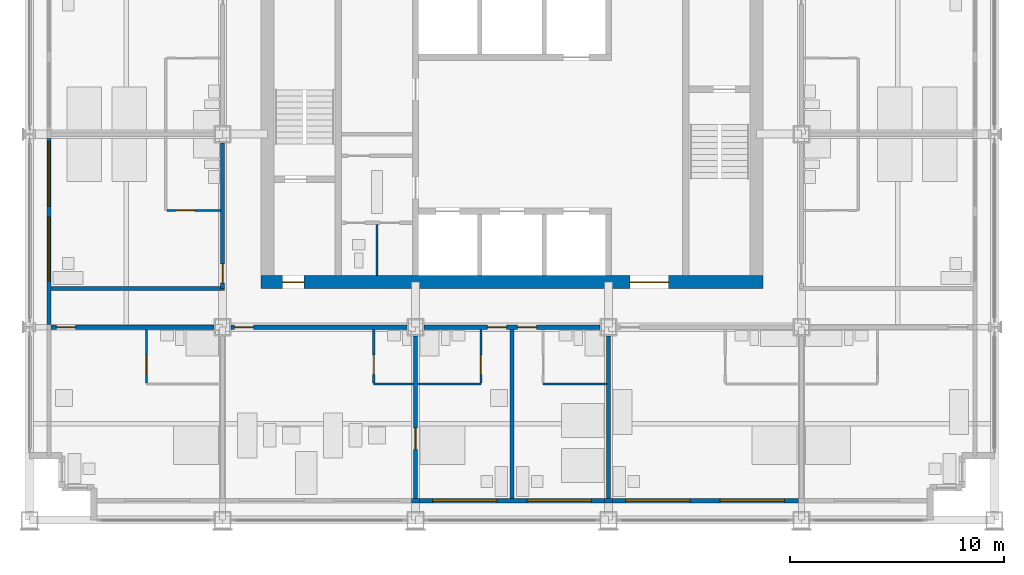
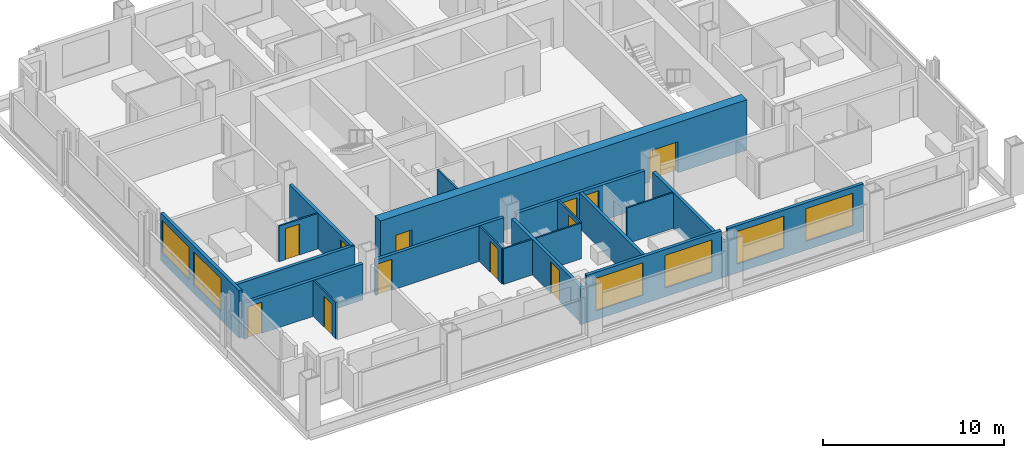
# One storey, part 9 of 16: 22 walls, 12 doors, 6 windows, 18 openings.
"""IFC4 building model written with IfcOpenShell, lengths in metres."""

from ifc_helpers import new_model, si_unit, direction, frame, frame_2d, origin, place, context, subcontext, project, spatial, rectangle, extrude, material, layer, layer_set, type_object, element, fill, save


model = new_model("IFC4")

# Units and contexts
model_context = context("Model", 3, precision=1e-05, world=origin(), true_north=direction((0.0, 1.0)))
body_context = subcontext(model_context, "Body", "Model", "MODEL_VIEW")
ifc_project = project(units=[si_unit("LENGTHUNIT", "METRE"), si_unit("AREAUNIT", "SQUARE_METRE"), si_unit("VOLUMEUNIT", "CUBIC_METRE"), si_unit("PLANEANGLEUNIT", "RADIAN"), si_unit("MASSUNIT", "GRAM", prefix="KILO")], contexts=[model_context])

# Site, building, storey
site_placement = place(None, origin())
site = spatial("IfcSite", under=ifc_project, at=site_placement, CompositionType="ELEMENT")
building_placement = place(site_placement, origin())
building = spatial("IfcBuilding", under=site, at=building_placement, Name="Loomwork Tower", CompositionType="ELEMENT")
storey_placement = place(building_placement, frame((0.0, 0.0, 128.199951171875)))
storey = spatial("IfcBuildingStorey", under=building, at=storey_placement, Name="L34", CompositionType="ELEMENT", Elevation=128.199951171875)

# Wall, openings, doors
ifc_material_1 = material(Name="Concrete 14000 psi (97 MPa)", Category="concrete")
ifc_layer_1 = layer(ifc_material_1, 0.60009765625)
ifc_layer_set_1 = layer_set([ifc_layer_1], Name="Core shear wall 600")
wall_type_1 = type_object("IfcWallType", Name="Core shear wall 600", PredefinedType="SHEAR", material=ifc_layer_set_1)
wall_1_placement = place(storey_placement, frame((10.800048828125, 11.10009765625, 0.0), z_axis=(0.0, 0.0, 1.0), x_axis=(1.0, 0.0, 0.0)))
wall_1 = element("IfcWall", 1, at=wall_1_placement, inside=storey, type_object=wall_type_1, Name="Core wall south L34", PredefinedType="SHEAR", context=body_context, shape_type="SweptSolid", body=[
    extrude(rectangle(XDim=23.39990234375, YDim=0.60009765625, at=frame_2d((11.699951171875, 0.0))), origin(), (0.0, 0.0, 1.0), 3.400146484375),
])
opening_1_placement = place(wall_1_placement, frame((1.0, 0.0, 0.0)))
opening_1 = element("IfcOpeningElement", 2, at=opening_1_placement, cuts=wall_1, Name="Opening D4", PredefinedType="OPENING", context=body_context, shape_type="SweptSolid", body=[
    extrude(rectangle(XDim=1.0, YDim=2.10009765625, at=frame_2d((0.5, 1.050048828125))), frame((0.0, 0.31005859375, 0.0), z_axis=(0.0, -1.0, 0.0), x_axis=(1.0, 0.0, 0.0)), (0.0, 0.0, 1.0), 0.6201171875),
])
opening_2_placement = place(wall_1_placement, frame((17.199951171875, 0.0, 0.0)))
opening_2 = element("IfcOpeningElement", 3, at=opening_2_placement, cuts=wall_1, Name="Opening D6", PredefinedType="OPENING", context=body_context, shape_type="SweptSolid", body=[
    extrude(rectangle(XDim=1.800048828125, YDim=2.10009765625, at=frame_2d((0.89990234375, 1.050048828125))), frame((0.0, 0.31005859375, 0.0), z_axis=(0.0, -1.0, 0.0), x_axis=(1.0, 0.0, 0.0)), (0.0, 0.0, 1.0), 0.6201171875),
])
ifc_material_2 = material(Name="Hollow metal door and frame")
door_type_1 = type_object("IfcDoorType", Name="Lobby passage double door 1800", OperationType="DOUBLE_DOOR_SINGLE_SWING", PredefinedType="DOOR", material=ifc_material_2)
door_1_placement = place(opening_2_placement, origin())
door_1 = element("IfcDoor", 4, at=door_1_placement, inside=storey, type_object=door_type_1, Name="Lobby passage door south", OperationType="DOUBLE_DOOR_SINGLE_SWING", OverallHeight=2.10009765625, OverallWidth=1.800048828125, PredefinedType="DOOR", context=body_context, shape_type="SweptSolid", body=[
    extrude(rectangle(XDim=1.800048828125, YDim=2.10009765625, at=frame_2d((0.89990234375, 1.050048828125))), frame((0.0, 0.02490234375, 0.0), z_axis=(0.0, -1.0, 0.0), x_axis=(1.0, 0.0, 0.0)), (0.0, 0.0, 1.0), 0.050048828125),
])
fill(opening_2, door_1)
ifc_material_3 = material(Name="Hollow metal door and frame")
door_type_2 = type_object("IfcDoorType", Name="Stair door 1000", OperationType="SINGLE_SWING_RIGHT", PredefinedType="DOOR", material=ifc_material_3)
door_2_placement = place(opening_1_placement, origin())
door_2 = element("IfcDoor", 5, at=door_2_placement, inside=storey, type_object=door_type_2, Name="Stair A vestibule door", OperationType="SINGLE_SWING_LEFT", OverallHeight=2.10009765625, OverallWidth=1.0, PredefinedType="DOOR", context=body_context, shape_type="SweptSolid", body=[
    extrude(rectangle(XDim=1.0, YDim=2.10009765625, at=frame_2d((0.5, 1.050048828125))), frame((0.0, 0.02490234375, 0.0), z_axis=(0.0, -1.0, 0.0), x_axis=(1.0, 0.0, 0.0)), (0.0, 0.0, 1.0), 0.050048828125),
])
fill(opening_1, door_2)

# Wall, opening, door
ifc_material_4 = material(Name="Gypsum board on steel studs, one-hour", Category="steel")
ifc_layer_2 = layer(ifc_material_4, 0.199951171875)
ifc_layer_set_2 = layer_set([ifc_layer_2], Name="Corridor wall 200")
wall_type_2 = type_object("IfcWallType", Name="Corridor wall 200", PredefinedType="PARTITIONING", material=ifc_layer_set_2)
wall_2_placement = place(storey_placement, frame((1.0, 9.0, 0.0), z_axis=(0.0, 0.0, 1.0), x_axis=(1.0, 0.0, 0.0)))
wall_2 = element("IfcWall", 6, at=wall_2_placement, inside=storey, type_object=wall_type_2, Name="South corridor wall 1", PredefinedType="PARTITIONING", context=body_context, shape_type="SweptSolid", body=[
    extrude(rectangle(XDim=7.60009765625, YDim=0.199951171875, at=frame_2d((3.800048828125, 0.0))), origin(), (0.0, 0.0, 1.0), 2.43798828125),
])
opening_3_placement = place(wall_2_placement, frame((0.25, 0.0, 0.0)))
opening_3 = element("IfcOpeningElement", 7, at=opening_3_placement, cuts=wall_2, Name="Opening D1", PredefinedType="OPENING", context=body_context, shape_type="SweptSolid", body=[
    extrude(rectangle(XDim=0.89990234375, YDim=2.10009765625, at=frame_2d((0.449951171875, 1.050048828125))), frame((0.0, 0.10986328125, 0.0), z_axis=(0.0, -1.0, 0.0), x_axis=(1.0, 0.0, 0.0)), (0.0, 0.0, 1.0), 0.219970703125),
])
ifc_material_5 = material(Name="Hollow metal door and frame")
door_type_3 = type_object("IfcDoorType", Name="Guest room entry door 900", OperationType="SINGLE_SWING_LEFT", PredefinedType="DOOR", material=ifc_material_5)
door_3_placement = place(opening_3_placement, frame((0.89990234375, 0.0, 0.0), z_axis=(0.0, 0.0, 1.0), x_axis=(-1.0, 0.0, 0.0)))
door_3 = element("IfcDoor", 8, at=door_3_placement, inside=storey, type_object=door_type_3, Name="Guest room entry door L34 1", OperationType="SINGLE_SWING_RIGHT", OverallHeight=2.10009765625, OverallWidth=0.89990234375, PredefinedType="DOOR", context=body_context, shape_type="SweptSolid", body=[
    extrude(rectangle(XDim=0.89990234375, YDim=2.10009765625, at=frame_2d((0.449951171875, 1.050048828125))), frame((0.0, 0.02490234375, 0.0), z_axis=(0.0, -1.0, 0.0), x_axis=(1.0, 0.0, 0.0)), (0.0, 0.0, 1.0), 0.050048828125),
])
fill(opening_3, door_3)

wall_3_placement = place(storey_placement, frame((9.39990234375, 9.0, 0.0), z_axis=(0.0, 0.0, 1.0), x_axis=(1.0, 0.0, 0.0)))
wall_3 = element("IfcWall", 9, at=wall_3_placement, inside=storey, type_object=wall_type_2, Name="South corridor wall 2", PredefinedType="PARTITIONING", context=body_context, shape_type="SweptSolid", body=[
    extrude(rectangle(XDim=8.2001953125, YDim=0.199951171875, at=frame_2d((4.10009765625, 0.0))), origin(), (0.0, 0.0, 1.0), 2.405029296875),
])
opening_4_placement = place(wall_3_placement, frame((0.14990234375, 0.0, 0.0)))
opening_4 = element("IfcOpeningElement", 10, at=opening_4_placement, cuts=wall_3, Name="Opening D1", PredefinedType="OPENING", context=body_context, shape_type="SweptSolid", body=[
    extrude(rectangle(XDim=0.89990234375, YDim=2.10009765625, at=frame_2d((0.449951171875, 1.050048828125))), frame((0.0, 0.10986328125, 0.0), z_axis=(0.0, -1.0, 0.0), x_axis=(1.0, 0.0, 0.0)), (0.0, 0.0, 1.0), 0.219970703125),
])
door_4_placement = place(opening_4_placement, frame((0.89990234375, 0.0, 0.0), z_axis=(0.0, 0.0, 1.0), x_axis=(-1.0, 0.0, 0.0)))
door_4 = element("IfcDoor", 11, at=door_4_placement, inside=storey, type_object=door_type_3, Name="Guest room entry door L34 2", OperationType="SINGLE_SWING_RIGHT", OverallHeight=2.10009765625, OverallWidth=0.89990234375, PredefinedType="DOOR", context=body_context, shape_type="SweptSolid", body=[
    extrude(rectangle(XDim=0.89990234375, YDim=2.10009765625, at=frame_2d((0.449951171875, 1.050048828125))), frame((0.0, 0.02490234375, 0.0), z_axis=(0.0, -1.0, 0.0), x_axis=(1.0, 0.0, 0.0)), (0.0, 0.0, 1.0), 0.050048828125),
])
fill(opening_4, door_4)

# Wall, openings, doors
wall_4_placement = place(storey_placement, frame((18.39990234375, 9.0, 0.0), z_axis=(0.0, 0.0, 1.0), x_axis=(1.0, 0.0, 0.0)))
wall_4 = element("IfcWall", 12, at=wall_4_placement, inside=storey, type_object=wall_type_2, Name="South corridor wall 3", PredefinedType="PARTITIONING", context=body_context, shape_type="SweptSolid", body=[
    extrude(rectangle(XDim=8.2001953125, YDim=0.199951171875, at=frame_2d((4.10009765625, 0.0))), origin(), (0.0, 0.0, 1.0), 2.405029296875),
])
opening_5_placement = place(wall_4_placement, frame((2.949951171875, 0.0, 0.0)))
opening_5 = element("IfcOpeningElement", 13, at=opening_5_placement, cuts=wall_4, Name="Opening D1", PredefinedType="OPENING", context=body_context, shape_type="SweptSolid", body=[
    extrude(rectangle(XDim=0.89990234375, YDim=2.10009765625, at=frame_2d((0.449951171875, 1.050048828125))), frame((0.0, 0.10986328125, 0.0), z_axis=(0.0, -1.0, 0.0), x_axis=(1.0, 0.0, 0.0)), (0.0, 0.0, 1.0), 0.219970703125),
])
opening_6_placement = place(wall_4_placement, frame((4.35009765625, 0.0, 0.0)))
opening_6 = element("IfcOpeningElement", 14, at=opening_6_placement, cuts=wall_4, Name="Opening D1", PredefinedType="OPENING", context=body_context, shape_type="SweptSolid", body=[
    extrude(rectangle(XDim=0.89990234375, YDim=2.10009765625, at=frame_2d((0.449951171875, 1.050048828125))), frame((0.0, 0.10986328125, 0.0), z_axis=(0.0, -1.0, 0.0), x_axis=(1.0, 0.0, 0.0)), (0.0, 0.0, 1.0), 0.219970703125),
])
door_5_placement = place(opening_5_placement, frame((0.89990234375, 0.0, 0.0), z_axis=(0.0, 0.0, 1.0), x_axis=(-1.0, 0.0, 0.0)))
door_5 = element("IfcDoor", 15, at=door_5_placement, inside=storey, type_object=door_type_3, Name="Guest room entry door L34 3", OperationType="SINGLE_SWING_LEFT", OverallHeight=2.10009765625, OverallWidth=0.89990234375, PredefinedType="DOOR", context=body_context, shape_type="SweptSolid", body=[
    extrude(rectangle(XDim=0.89990234375, YDim=2.10009765625, at=frame_2d((0.449951171875, 1.050048828125))), frame((0.0, 0.02490234375, 0.0), z_axis=(0.0, -1.0, 0.0), x_axis=(1.0, 0.0, 0.0)), (0.0, 0.0, 1.0), 0.050048828125),
])
fill(opening_5, door_5)
door_6_placement = place(opening_6_placement, frame((0.89990234375, 0.0, 0.0), z_axis=(0.0, 0.0, 1.0), x_axis=(-1.0, 0.0, 0.0)))
door_6 = element("IfcDoor", 16, at=door_6_placement, inside=storey, type_object=door_type_3, Name="Guest room entry door L34 4", OperationType="SINGLE_SWING_RIGHT", OverallHeight=2.10009765625, OverallWidth=0.89990234375, PredefinedType="DOOR", context=body_context, shape_type="SweptSolid", body=[
    extrude(rectangle(XDim=0.89990234375, YDim=2.10009765625, at=frame_2d((0.449951171875, 1.050048828125))), frame((0.0, 0.02490234375, 0.0), z_axis=(0.0, -1.0, 0.0), x_axis=(1.0, 0.0, 0.0)), (0.0, 0.0, 1.0), 0.050048828125),
])
fill(opening_6, door_6)

# Wall, opening, door
wall_5_placement = place(storey_placement, frame((9.0, 10.800048828125, 0.0), z_axis=(0.0, 0.0, 1.0), x_axis=(0.0, 1.0, 0.0)))
wall_5 = element("IfcWall", 17, at=wall_5_placement, inside=storey, type_object=wall_type_2, Name="West corridor wall 1", PredefinedType="PARTITIONING", context=body_context, shape_type="SweptSolid", body=[
    extrude(rectangle(XDim=6.800048828125, YDim=0.199951171875, at=frame_2d((3.39990234375, 0.0))), origin(), (0.0, 0.0, 1.0), 2.405029296875),
])
opening_7_placement = place(wall_5_placement, frame((0.25, 0.0, 0.0)))
opening_7 = element("IfcOpeningElement", 18, at=opening_7_placement, cuts=wall_5, Name="Opening D1", PredefinedType="OPENING", context=body_context, shape_type="SweptSolid", body=[
    extrude(rectangle(XDim=0.89990234375, YDim=2.10009765625, at=frame_2d((0.449951171875, 1.050048828125))), frame((0.0, 0.10986328125, 0.0), z_axis=(0.0, -1.0, 0.0), x_axis=(1.0, 0.0, 0.0)), (0.0, 0.0, 1.0), 0.219970703125),
])
door_7_placement = place(opening_7_placement, origin())
door_7 = element("IfcDoor", 19, at=door_7_placement, inside=storey, type_object=door_type_3, Name="Guest room entry door L34 14", OperationType="SINGLE_SWING_LEFT", OverallHeight=2.10009765625, OverallWidth=0.89990234375, PredefinedType="DOOR", context=body_context, shape_type="SweptSolid", body=[
    extrude(rectangle(XDim=0.89990234375, YDim=2.10009765625, at=frame_2d((0.449951171875, 1.050048828125))), frame((0.0, 0.02490234375, 0.0), z_axis=(0.0, -1.0, 0.0), x_axis=(1.0, 0.0, 0.0)), (0.0, 0.0, 1.0), 0.050048828125),
])
fill(opening_7, door_7)

# Wall
wall_6_placement = place(storey_placement, frame((1.0, 10.800048828125, 0.0), z_axis=(0.0, 0.0, 1.0), x_axis=(1.0, 0.0, 0.0)))
element("IfcWall", 20, at=wall_6_placement, inside=storey, type_object=wall_type_2, Name="West band end wall S", PredefinedType="PARTITIONING", context=body_context, shape_type="SweptSolid", body=[
    extrude(rectangle(XDim=8.10009765625, YDim=0.199951171875, at=frame_2d((4.050048828125, 0.0))), origin(), (0.0, 0.0, 1.0), 2.404052734375),
])

# Wall, opening, door
ifc_material_6 = material(Name="Cement board on steel studs", Category="steel")
ifc_layer_3 = layer(ifc_material_6, 0.10009765625)
ifc_layer_set_3 = layer_set([ifc_layer_3], Name="En-suite partition 100")
wall_type_3 = type_object("IfcWallType", Name="En-suite partition 100", PredefinedType="PARTITIONING", material=ifc_layer_set_3)
wall_7_placement = place(storey_placement, frame((5.449951171875, 8.89990234375, 0.0), z_axis=(0.0, 0.0, 1.0), x_axis=(0.0, -1.0, 0.0)))
wall_7 = element("IfcWall", 21, at=wall_7_placement, inside=storey, type_object=wall_type_3, Name="En-suite side wall L34 room 1", PredefinedType="PARTITIONING", context=body_context, shape_type="SweptSolid", body=[
    extrude(rectangle(XDim=2.5, YDim=0.10009765625, at=frame_2d((1.25, 0.0))), origin(), (0.0, 0.0, 1.0), 2.43798828125),
])
opening_8_placement = place(wall_7_placement, frame((1.199951171875, 0.0, 0.0)))
opening_8 = element("IfcOpeningElement", 22, at=opening_8_placement, cuts=wall_7, Name="Opening D3", PredefinedType="OPENING", context=body_context, shape_type="SweptSolid", body=[
    extrude(rectangle(XDim=0.89990234375, YDim=2.10009765625, at=frame_2d((0.449951171875, 1.050048828125))), frame((0.0, 0.06005859375, 0.0), z_axis=(0.0, -1.0, 0.0), x_axis=(1.0, 0.0, 0.0)), (0.0, 0.0, 1.0), 0.1201171875),
])
ifc_material_7 = material(Name="Hollow metal door and frame")
door_type_4 = type_object("IfcDoorType", Name="Accessible en-suite door 900", OperationType="SLIDING_TO_LEFT", PredefinedType="DOOR", material=ifc_material_7)
door_8_placement = place(opening_8_placement, origin())
door_8 = element("IfcDoor", 23, at=door_8_placement, inside=storey, type_object=door_type_4, Name="Accessible en-suite door room 1", OperationType="SLIDING_TO_LEFT", OverallHeight=2.10009765625, OverallWidth=0.89990234375, PredefinedType="DOOR", context=body_context, shape_type="SweptSolid", body=[
    extrude(rectangle(XDim=0.89990234375, YDim=2.10009765625, at=frame_2d((0.449951171875, 1.050048828125))), frame((0.0, 0.02490234375, 0.0), z_axis=(0.0, -1.0, 0.0), x_axis=(1.0, 0.0, 0.0)), (0.0, 0.0, 1.0), 0.050048828125),
])
fill(opening_8, door_8)

# Wall
wall_8_placement = place(storey_placement, frame((16.050048828125, 6.35009765625, 0.0), z_axis=(0.0, 0.0, 1.0), x_axis=(1.0, 0.0, 0.0)))
element("IfcWall", 24, at=wall_8_placement, inside=storey, type_object=wall_type_3, Name="En-suite wall L34 room 2", PredefinedType="PARTITIONING", context=body_context, shape_type="SweptSolid", body=[
    extrude(rectangle(XDim=1.849853515625, YDim=0.10009765625, at=frame_2d((0.9248046875, 0.0))), origin(), (0.0, 0.0, 1.0), 2.404052734375),
])

# Wall, opening, door
wall_9_placement = place(storey_placement, frame((16.050048828125, 8.89990234375, 0.0), z_axis=(0.0, 0.0, 1.0), x_axis=(0.0, -1.0, 0.0)))
wall_9 = element("IfcWall", 25, at=wall_9_placement, inside=storey, type_object=wall_type_3, Name="En-suite side wall L34 room 2", PredefinedType="PARTITIONING", context=body_context, shape_type="SweptSolid", body=[
    extrude(rectangle(XDim=2.5, YDim=0.10009765625, at=frame_2d((1.25, 0.0))), origin(), (0.0, 0.0, 1.0), 2.404052734375),
])
opening_9_placement = place(wall_9_placement, frame((1.199951171875, 0.0, 0.0)))
opening_9 = element("IfcOpeningElement", 26, at=opening_9_placement, cuts=wall_9, Name="Opening D2", PredefinedType="OPENING", context=body_context, shape_type="SweptSolid", body=[
    extrude(rectangle(XDim=0.89990234375, YDim=2.10009765625, at=frame_2d((0.449951171875, 1.050048828125))), frame((0.0, 0.06005859375, 0.0), z_axis=(0.0, -1.0, 0.0), x_axis=(1.0, 0.0, 0.0)), (0.0, 0.0, 1.0), 0.1201171875),
])
ifc_material_8 = material(Name="Hollow metal door and frame")
door_type_5 = type_object("IfcDoorType", Name="En-suite door 900", OperationType="SINGLE_SWING_LEFT", PredefinedType="DOOR", material=ifc_material_8)
door_9_placement = place(opening_9_placement, origin())
door_9 = element("IfcDoor", 27, at=door_9_placement, inside=storey, type_object=door_type_5, Name="Suite powder room door room 2", OperationType="SINGLE_SWING_RIGHT", OverallHeight=2.10009765625, OverallWidth=0.89990234375, PredefinedType="DOOR", context=body_context, shape_type="SweptSolid", body=[
    extrude(rectangle(XDim=0.89990234375, YDim=2.10009765625, at=frame_2d((0.449951171875, 1.050048828125))), frame((0.0, 0.02490234375, 0.0), z_axis=(0.0, -1.0, 0.0), x_axis=(1.0, 0.0, 0.0)), (0.0, 0.0, 1.0), 0.050048828125),
])
fill(opening_9, door_9)

# Wall
wall_10_placement = place(storey_placement, frame((18.10009765625, 6.35009765625, 0.0), z_axis=(0.0, 0.0, 1.0), x_axis=(1.0, 0.0, 0.0)))
element("IfcWall", 28, at=wall_10_placement, inside=storey, type_object=wall_type_3, Name="En-suite wall L34 room 3", PredefinedType="PARTITIONING", context=body_context, shape_type="SweptSolid", body=[
    extrude(rectangle(XDim=2.949951171875, YDim=0.10009765625, at=frame_2d((1.47509765625, 0.0))), origin(), (0.0, 0.0, 1.0), 2.404052734375),
])

# Wall, opening, door
wall_11_placement = place(storey_placement, frame((21.050048828125, 8.89990234375, 0.0), z_axis=(0.0, 0.0, 1.0), x_axis=(0.0, -1.0, 0.0)))
wall_11 = element("IfcWall", 29, at=wall_11_placement, inside=storey, type_object=wall_type_3, Name="En-suite side wall L34 room 3", PredefinedType="PARTITIONING", context=body_context, shape_type="SweptSolid", body=[
    extrude(rectangle(XDim=2.5, YDim=0.10009765625, at=frame_2d((1.25, 0.0))), origin(), (0.0, 0.0, 1.0), 2.404052734375),
])
opening_10_placement = place(wall_11_placement, frame((1.199951171875, 0.0, 0.0)))
opening_10 = element("IfcOpeningElement", 30, at=opening_10_placement, cuts=wall_11, Name="Opening D2", PredefinedType="OPENING", context=body_context, shape_type="SweptSolid", body=[
    extrude(rectangle(XDim=0.89990234375, YDim=2.10009765625, at=frame_2d((0.449951171875, 1.050048828125))), frame((0.0, 0.06005859375, 0.0), z_axis=(0.0, -1.0, 0.0), x_axis=(1.0, 0.0, 0.0)), (0.0, 0.0, 1.0), 0.1201171875),
])
door_10_placement = place(opening_10_placement, frame((0.89990234375, 0.0, 0.0), z_axis=(0.0, 0.0, 1.0), x_axis=(-1.0, 0.0, 0.0)))
door_10 = element("IfcDoor", 31, at=door_10_placement, inside=storey, type_object=door_type_5, Name="En-suite door room 3", OperationType="SINGLE_SWING_LEFT", OverallHeight=2.10009765625, OverallWidth=0.89990234375, PredefinedType="DOOR", context=body_context, shape_type="SweptSolid", body=[
    extrude(rectangle(XDim=0.89990234375, YDim=2.10009765625, at=frame_2d((0.449951171875, 1.050048828125))), frame((0.0, 0.02490234375, 0.0), z_axis=(0.0, -1.0, 0.0), x_axis=(1.0, 0.0, 0.0)), (0.0, 0.0, 1.0), 0.050048828125),
])
fill(opening_10, door_10)

# Wall
wall_12_placement = place(storey_placement, frame((23.949951171875, 6.35009765625, 0.0), z_axis=(0.0, 0.0, 1.0), x_axis=(1.0, 0.0, 0.0)))
element("IfcWall", 32, at=wall_12_placement, inside=storey, type_object=wall_type_3, Name="En-suite wall L34 room 4", PredefinedType="PARTITIONING", context=body_context, shape_type="SweptSolid", body=[
    extrude(rectangle(XDim=2.949951171875, YDim=0.10009765625, at=frame_2d((1.47509765625, 0.0))), origin(), (0.0, 0.0, 1.0), 2.404052734375),
])

# Wall, opening, door
wall_13_placement = place(storey_placement, frame((8.89990234375, 14.449951171875, 0.0), z_axis=(0.0, 0.0, 1.0), x_axis=(-1.0, 0.0, 0.0)))
wall_13 = element("IfcWall", 33, at=wall_13_placement, inside=storey, type_object=wall_type_3, Name="En-suite side wall L34 room 14", PredefinedType="PARTITIONING", context=body_context, shape_type="SweptSolid", body=[
    extrude(rectangle(XDim=2.5, YDim=0.10009765625, at=frame_2d((1.25, 0.0))), origin(), (0.0, 0.0, 1.0), 2.404052734375),
])
opening_11_placement = place(wall_13_placement, frame((1.199951171875, 0.0, 0.0)))
opening_11 = element("IfcOpeningElement", 34, at=opening_11_placement, cuts=wall_13, Name="Opening D2", PredefinedType="OPENING", context=body_context, shape_type="SweptSolid", body=[
    extrude(rectangle(XDim=0.89990234375, YDim=2.10009765625, at=frame_2d((0.449951171875, 1.050048828125))), frame((0.0, 0.06005859375, 0.0), z_axis=(0.0, -1.0, 0.0), x_axis=(1.0, 0.0, 0.0)), (0.0, 0.0, 1.0), 0.1201171875),
])
door_11_placement = place(opening_11_placement, frame((0.89990234375, 0.0, 0.0), z_axis=(0.0, 0.0, 1.0), x_axis=(-1.0, 0.0, 0.0)))
door_11 = element("IfcDoor", 35, at=door_11_placement, inside=storey, type_object=door_type_5, Name="En-suite door room 14", OperationType="SINGLE_SWING_LEFT", OverallHeight=2.10009765625, OverallWidth=0.89990234375, PredefinedType="DOOR", context=body_context, shape_type="SweptSolid", body=[
    extrude(rectangle(XDim=0.89990234375, YDim=2.10009765625, at=frame_2d((0.449951171875, 1.050048828125))), frame((0.0, 0.02490234375, 0.0), z_axis=(0.0, -1.0, 0.0), x_axis=(1.0, 0.0, 0.0)), (0.0, 0.0, 1.0), 0.050048828125),
])
fill(opening_11, door_11)

# Wall
wall_14_placement = place(storey_placement, frame((16.199951171875, 11.39990234375, 0.0), z_axis=(0.0, 0.0, 1.0), x_axis=(0.0, 1.0, 0.0)))
element("IfcWall", 36, at=wall_14_placement, inside=storey, type_object=wall_type_3, Name="Back-of-house partition L34 2", PredefinedType="PARTITIONING", context=body_context, shape_type="SweptSolid", body=[
    extrude(rectangle(XDim=2.400146484375, YDim=0.10009765625, at=frame_2d((1.2001953125, 0.0))), origin(), (0.0, 0.0, 1.0), 3.199951171875),
])

# Wall, opening, door
ifc_material_9 = material(Name="Gypsum board on steel studs, acoustic", Category="steel")
ifc_layer_4 = layer(ifc_material_9, 0.199951171875)
ifc_layer_set_4 = layer_set([ifc_layer_4], Name="Guest room party wall 200")
wall_type_4 = type_object("IfcWallType", Name="Guest room party wall 200", PredefinedType="PARTITIONING", material=ifc_layer_set_4)
wall_15_placement = place(storey_placement, frame((18.0, 8.60009765625, 0.0), z_axis=(0.0, 0.0, 1.0), x_axis=(0.0, -1.0, 0.0)))
wall_15 = element("IfcWall", 37, at=wall_15_placement, inside=storey, type_object=wall_type_4, Name="Guest room party wall S 18", PredefinedType="PARTITIONING", context=body_context, shape_type="SweptSolid", body=[
    extrude(rectangle(XDim=7.60009765625, YDim=0.199951171875, at=frame_2d((3.800048828125, 0.0))), origin(), (0.0, 0.0, 1.0), 2.405029296875),
])
opening_12_placement = place(wall_15_placement, frame((4.300048828125, 0.0, 0.0)))
opening_12 = element("IfcOpeningElement", 38, at=opening_12_placement, cuts=wall_15, Name="Opening D7", PredefinedType="OPENING", context=body_context, shape_type="SweptSolid", body=[
    extrude(rectangle(XDim=1.0, YDim=2.10009765625, at=frame_2d((0.5, 1.050048828125))), frame((0.0, 0.10986328125, 0.0), z_axis=(0.0, -1.0, 0.0), x_axis=(1.0, 0.0, 0.0)), (0.0, 0.0, 1.0), 0.219970703125),
])
ifc_material_10 = material(Name="Hollow metal door and frame")
door_type_6 = type_object("IfcDoorType", Name="Room door 1000", OperationType="SINGLE_SWING_LEFT", PredefinedType="DOOR", material=ifc_material_10)
door_12_placement = place(opening_12_placement, origin())
door_12 = element("IfcDoor", 39, at=door_12_placement, inside=storey, type_object=door_type_6, Name="Suite connecting door L34 S 18", OperationType="SINGLE_SWING_LEFT", OverallHeight=2.10009765625, OverallWidth=1.0, PredefinedType="DOOR", context=body_context, shape_type="SweptSolid", body=[
    extrude(rectangle(XDim=1.0, YDim=2.10009765625, at=frame_2d((0.5, 1.050048828125))), frame((0.0, 0.02490234375, 0.0), z_axis=(0.0, -1.0, 0.0), x_axis=(1.0, 0.0, 0.0)), (0.0, 0.0, 1.0), 0.050048828125),
])
fill(opening_12, door_12)

# Walls
wall_16_placement = place(storey_placement, frame((22.5, 8.89990234375, 0.0), z_axis=(0.0, 0.0, 1.0), x_axis=(0.0, -1.0, 0.0)))
element("IfcWall", 40, at=wall_16_placement, inside=storey, type_object=wall_type_4, Name="Guest room party wall S 22.5", PredefinedType="PARTITIONING", context=body_context, shape_type="SweptSolid", body=[
    extrude(rectangle(XDim=7.89990234375, YDim=0.199951171875, at=frame_2d((3.949951171875, 0.0))), origin(), (0.0, 0.0, 1.0), 2.404052734375),
])
wall_17_placement = place(storey_placement, frame((27.0, 8.60009765625, 0.0), z_axis=(0.0, 0.0, 1.0), x_axis=(0.0, -1.0, 0.0)))
element("IfcWall", 41, at=wall_17_placement, inside=storey, type_object=wall_type_4, Name="Guest room party wall S 27", PredefinedType="PARTITIONING", context=body_context, shape_type="SweptSolid", body=[
    extrude(rectangle(XDim=7.60009765625, YDim=0.199951171875, at=frame_2d((3.800048828125, 0.0))), origin(), (0.0, 0.0, 1.0), 2.405029296875),
])
ifc_material_11 = material(Name="Insulated steel stud wall with gypsum lining", Category="steel")
ifc_layer_5 = layer(ifc_material_11, 0.199951171875)
ifc_layer_set_5 = layer_set([ifc_layer_5], Name="Inner skin wall 200")
wall_type_5 = type_object("IfcWallType", Name="Inner skin wall 200", PredefinedType="SOLIDWALL", material=ifc_layer_set_5)
wall_18_placement = place(storey_placement, frame((17.80615234375, 0.89990234375, 0.0), z_axis=(0.0, 0.0, 1.0), x_axis=(1.0, 0.0, 0.0)))
element("IfcWall", 42, at=wall_18_placement, inside=storey, type_object=wall_type_5, Name="Inner skin wall S bay 4", PredefinedType="SOLIDWALL", context=body_context, shape_type="SweptSolid", body=[
    extrude(rectangle(XDim=0.3876953125, YDim=0.199951171875, at=frame_2d((0.19384765625, 0.0))), origin(), (0.0, 0.0, 1.0), 2.404052734375),
])

# Wall, openings, windows
wall_19_placement = place(storey_placement, frame((18.19384765625, 0.89990234375, 0.0), z_axis=(0.0, 0.0, 1.0), x_axis=(1.0, 0.0, 0.0)))
wall_19 = element("IfcWall", 43, at=wall_19_placement, inside=storey, type_object=wall_type_5, Name="Inner skin wall S bay 5", PredefinedType="SOLIDWALL", context=body_context, shape_type="SweptSolid", body=[
    extrude(rectangle(XDim=8.6123046875, YDim=0.199951171875, at=frame_2d((4.30615234375, 0.0))), origin(), (0.0, 0.0, 1.0), 3.199951171875),
])
opening_13_placement = place(wall_19_placement, frame((0.606201171875, 0.0, 0.60009765625)))
opening_13 = element("IfcOpeningElement", 44, at=opening_13_placement, cuts=wall_19, Name="Opening CH1", PredefinedType="OPENING", context=body_context, shape_type="SweptSolid", body=[
    extrude(rectangle(XDim=3.0, YDim=2.199951171875, at=frame_2d((1.5, 1.10009765625))), frame((0.0, 0.10986328125, 0.0), z_axis=(0.0, -1.0, 0.0), x_axis=(1.0, 0.0, 0.0)), (0.0, 0.0, 1.0), 0.219970703125),
])
opening_14_placement = place(wall_19_placement, frame((5.006103515625, 0.0, 0.60009765625)))
opening_14 = element("IfcOpeningElement", 45, at=opening_14_placement, cuts=wall_19, Name="Opening CH1", PredefinedType="OPENING", context=body_context, shape_type="SweptSolid", body=[
    extrude(rectangle(XDim=3.0, YDim=2.199951171875, at=frame_2d((1.5, 1.10009765625))), frame((0.0, 0.10986328125, 0.0), z_axis=(0.0, -1.0, 0.0), x_axis=(1.0, 0.0, 0.0)), (0.0, 0.0, 1.0), 0.219970703125),
])
ifc_material_12 = material(Name="Aluminium frame with clear insulated glass", Category="aluminium")
window_type = type_object("IfcWindowType", Name="Chicago window 3000", PartitioningType="TRIPLE_PANEL_VERTICAL", PredefinedType="WINDOW", material=ifc_material_12)
window_1_placement = place(opening_13_placement, origin())
window_1 = element("IfcWindow", 46, at=window_1_placement, inside=storey, type_object=window_type, Name="Chicago window L34 bay 3", OverallHeight=2.199951171875, OverallWidth=3.0, PartitioningType="TRIPLE_PANEL_VERTICAL", PredefinedType="WINDOW", context=body_context, shape_type="SweptSolid", body=[
    extrude(rectangle(XDim=3.0, YDim=2.199951171875, at=frame_2d((1.5, 1.10009765625))), frame((0.0, 0.030029296875, 0.0), z_axis=(0.0, -1.0, 0.0), x_axis=(1.0, 0.0, 0.0)), (0.0, 0.0, 1.0), 0.06005859375),
])
fill(opening_13, window_1)
window_2_placement = place(opening_14_placement, origin())
window_2 = element("IfcWindow", 47, at=window_2_placement, inside=storey, type_object=window_type, Name="Chicago window L34 bay 3", OverallHeight=2.199951171875, OverallWidth=3.0, PartitioningType="TRIPLE_PANEL_VERTICAL", PredefinedType="WINDOW", context=body_context, shape_type="SweptSolid", body=[
    extrude(rectangle(XDim=3.0, YDim=2.199951171875, at=frame_2d((1.5, 1.10009765625))), frame((0.0, 0.030029296875, 0.0), z_axis=(0.0, -1.0, 0.0), x_axis=(1.0, 0.0, 0.0)), (0.0, 0.0, 1.0), 0.06005859375),
])
fill(opening_14, window_2)

# Wall
wall_20_placement = place(storey_placement, frame((26.80615234375, 0.89990234375, 0.0), z_axis=(0.0, 0.0, 1.0), x_axis=(1.0, 0.0, 0.0)))
element("IfcWall", 48, at=wall_20_placement, inside=storey, type_object=wall_type_5, Name="Inner skin wall S bay 6", PredefinedType="SOLIDWALL", context=body_context, shape_type="SweptSolid", body=[
    extrude(rectangle(XDim=0.3876953125, YDim=0.199951171875, at=frame_2d((0.19384765625, 0.0))), origin(), (0.0, 0.0, 1.0), 2.404052734375),
])

# Wall, openings, windows
wall_21_placement = place(storey_placement, frame((27.19384765625, 0.89990234375, 0.0), z_axis=(0.0, 0.0, 1.0), x_axis=(1.0, 0.0, 0.0)))
wall_21 = element("IfcWall", 49, at=wall_21_placement, inside=storey, type_object=wall_type_5, Name="Inner skin wall S bay 7", PredefinedType="SOLIDWALL", context=body_context, shape_type="SweptSolid", body=[
    extrude(rectangle(XDim=8.670654296875, YDim=0.199951171875, at=frame_2d((4.33544921875, 0.0))), origin(), (0.0, 0.0, 1.0), 3.199951171875),
])
opening_15_placement = place(wall_21_placement, frame((0.606201171875, 0.0, 0.60009765625)))
opening_15 = element("IfcOpeningElement", 50, at=opening_15_placement, cuts=wall_21, Name="Opening CH1", PredefinedType="OPENING", context=body_context, shape_type="SweptSolid", body=[
    extrude(rectangle(XDim=3.0, YDim=2.199951171875, at=frame_2d((1.5, 1.10009765625))), frame((0.0, 0.10986328125, 0.0), z_axis=(0.0, -1.0, 0.0), x_axis=(1.0, 0.0, 0.0)), (0.0, 0.0, 1.0), 0.219970703125),
])
opening_16_placement = place(wall_21_placement, frame((5.006103515625, 0.0, 0.60009765625)))
opening_16 = element("IfcOpeningElement", 51, at=opening_16_placement, cuts=wall_21, Name="Opening CH1", PredefinedType="OPENING", context=body_context, shape_type="SweptSolid", body=[
    extrude(rectangle(XDim=3.0, YDim=2.199951171875, at=frame_2d((1.5, 1.10009765625))), frame((0.0, 0.10986328125, 0.0), z_axis=(0.0, -1.0, 0.0), x_axis=(1.0, 0.0, 0.0)), (0.0, 0.0, 1.0), 0.219970703125),
])
window_3_placement = place(opening_15_placement, origin())
window_3 = element("IfcWindow", 52, at=window_3_placement, inside=storey, type_object=window_type, Name="Chicago window L34 bay 4", OverallHeight=2.199951171875, OverallWidth=3.0, PartitioningType="TRIPLE_PANEL_VERTICAL", PredefinedType="WINDOW", context=body_context, shape_type="SweptSolid", body=[
    extrude(rectangle(XDim=3.0, YDim=2.199951171875, at=frame_2d((1.5, 1.10009765625))), frame((0.0, 0.030029296875, 0.0), z_axis=(0.0, -1.0, 0.0), x_axis=(1.0, 0.0, 0.0)), (0.0, 0.0, 1.0), 0.06005859375),
])
fill(opening_15, window_3)
window_4_placement = place(opening_16_placement, origin())
window_4 = element("IfcWindow", 53, at=window_4_placement, inside=storey, type_object=window_type, Name="Chicago window L34 bay 4", OverallHeight=2.199951171875, OverallWidth=3.0, PartitioningType="TRIPLE_PANEL_VERTICAL", PredefinedType="WINDOW", context=body_context, shape_type="SweptSolid", body=[
    extrude(rectangle(XDim=3.0, YDim=2.199951171875, at=frame_2d((1.5, 1.10009765625))), frame((0.0, 0.030029296875, 0.0), z_axis=(0.0, -1.0, 0.0), x_axis=(1.0, 0.0, 0.0)), (0.0, 0.0, 1.0), 0.06005859375),
])
fill(opening_16, window_4)

wall_22_placement = place(storey_placement, frame((0.89990234375, 9.13525390625, 0.0), z_axis=(0.0, 0.0, 1.0), x_axis=(0.0, 1.0, 0.0)))
wall_22 = element("IfcWall", 54, at=wall_22_placement, inside=storey, type_object=wall_type_5, Name="Inner skin wall W bay 5", PredefinedType="SOLIDWALL", context=body_context, shape_type="SweptSolid", body=[
    extrude(rectangle(XDim=8.6708984375, YDim=0.199951171875, at=frame_2d((4.33544921875, 0.0))), origin(), (0.0, 0.0, 1.0), 3.199951171875),
])
opening_17_placement = place(wall_22_placement, frame((2.0146484375, 0.0, 0.60009765625)))
opening_17 = element("IfcOpeningElement", 55, at=opening_17_placement, cuts=wall_22, Name="Opening CH1", PredefinedType="OPENING", context=body_context, shape_type="SweptSolid", body=[
    extrude(rectangle(XDim=3.0, YDim=2.199951171875, at=frame_2d((1.5, 1.10009765625))), frame((0.0, 0.10986328125, 0.0), z_axis=(0.0, -1.0, 0.0), x_axis=(1.0, 0.0, 0.0)), (0.0, 0.0, 1.0), 0.219970703125),
])
opening_18_placement = place(wall_22_placement, frame((5.5146484375, 0.0, 0.60009765625)))
opening_18 = element("IfcOpeningElement", 56, at=opening_18_placement, cuts=wall_22, Name="Opening CH1", PredefinedType="OPENING", context=body_context, shape_type="SweptSolid", body=[
    extrude(rectangle(XDim=3.0, YDim=2.199951171875, at=frame_2d((1.5, 1.10009765625))), frame((0.0, 0.10986328125, 0.0), z_axis=(0.0, -1.0, 0.0), x_axis=(1.0, 0.0, 0.0)), (0.0, 0.0, 1.0), 0.219970703125),
])
window_5_placement = place(opening_17_placement, origin())
window_5 = element("IfcWindow", 57, at=window_5_placement, inside=storey, type_object=window_type, Name="Chicago window L34 bay 11", OverallHeight=2.199951171875, OverallWidth=3.0, PartitioningType="TRIPLE_PANEL_VERTICAL", PredefinedType="WINDOW", context=body_context, shape_type="SweptSolid", body=[
    extrude(rectangle(XDim=3.0, YDim=2.199951171875, at=frame_2d((1.5, 1.10009765625))), frame((0.0, 0.030029296875, 0.0), z_axis=(0.0, -1.0, 0.0), x_axis=(1.0, 0.0, 0.0)), (0.0, 0.0, 1.0), 0.06005859375),
])
fill(opening_17, window_5)
window_6_placement = place(opening_18_placement, origin())
window_6 = element("IfcWindow", 58, at=window_6_placement, inside=storey, type_object=window_type, Name="Chicago window L34 bay 11", OverallHeight=2.199951171875, OverallWidth=3.0, PartitioningType="TRIPLE_PANEL_VERTICAL", PredefinedType="WINDOW", context=body_context, shape_type="SweptSolid", body=[
    extrude(rectangle(XDim=3.0, YDim=2.199951171875, at=frame_2d((1.5, 1.10009765625))), frame((0.0, 0.030029296875, 0.0), z_axis=(0.0, -1.0, 0.0), x_axis=(1.0, 0.0, 0.0)), (0.0, 0.0, 1.0), 0.06005859375),
])
fill(opening_18, window_6)

save(model, "model.ifc")
